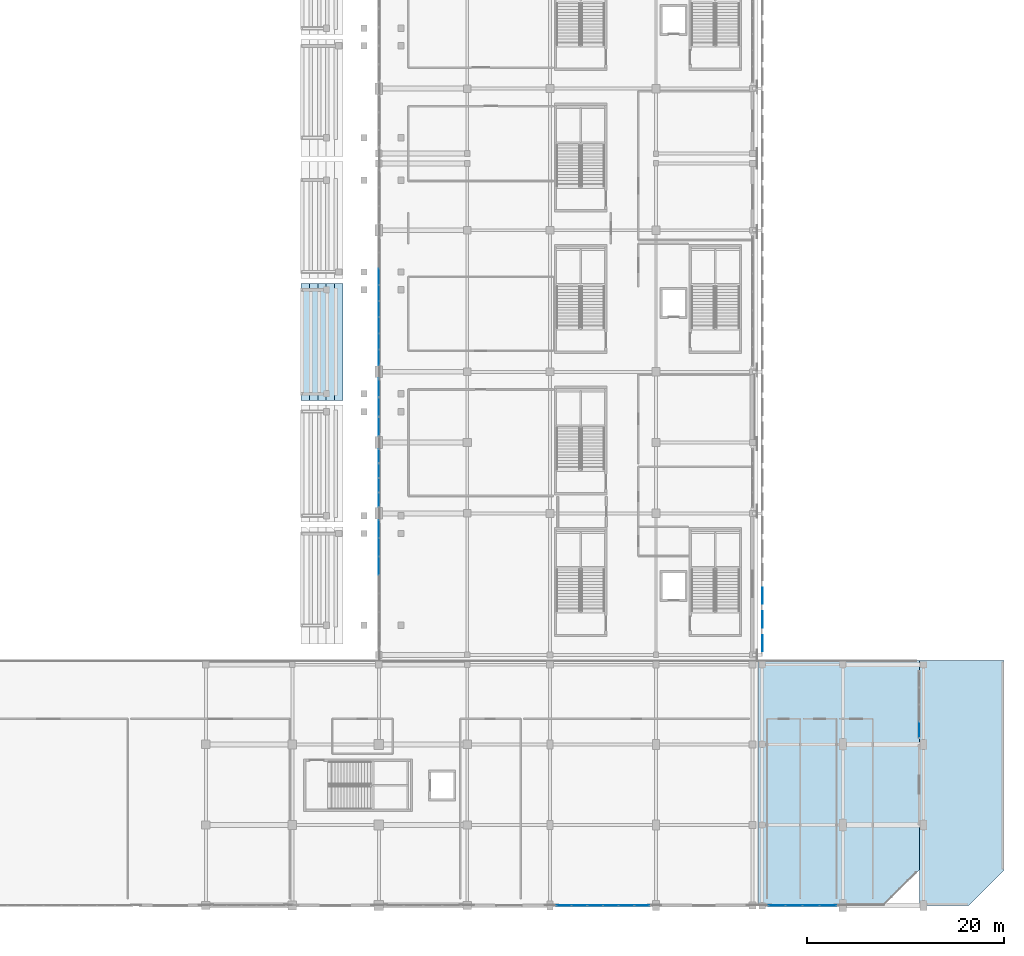
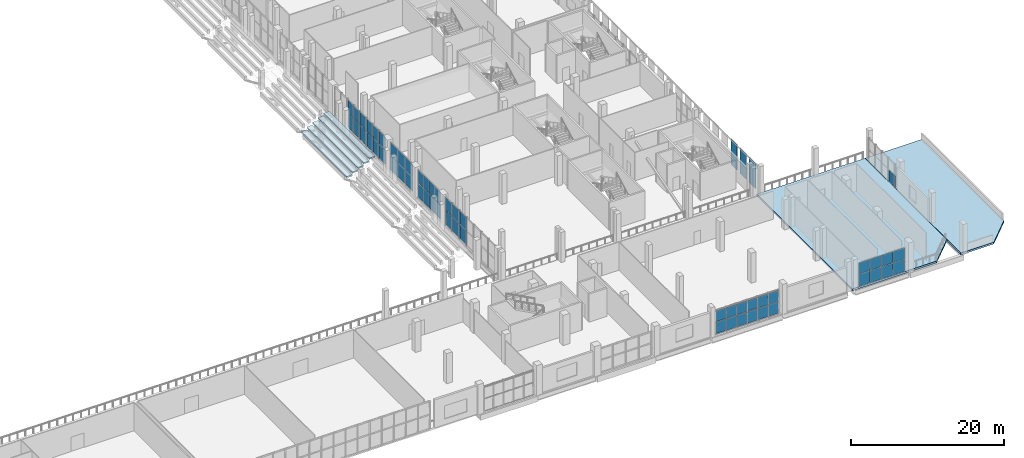
# One storey, part 79 of 142: 56 plates, 7 slabs, 7 elements without a shape of their own.
"""IFC4 building model written with IfcOpenShell, lengths in metres."""

from ifc_helpers import new_model, si_unit, direction, frame, origin, origin_2d, place, context, subcontext, project, spatial, polyline, rectangle, outline, extrude, material, layer, layer_set, type_object, element, aggregate, save


model = new_model("IFC4")

# Units and contexts
model_context = context("Model", 3, precision=1e-05, world=origin(), true_north=direction((0.0, 1.0)))
body_context = subcontext(model_context, "Body", "Model", "MODEL_VIEW")
ifc_project = project(units=[si_unit("LENGTHUNIT", "METRE"), si_unit("AREAUNIT", "SQUARE_METRE"), si_unit("VOLUMEUNIT", "CUBIC_METRE"), si_unit("PLANEANGLEUNIT", "RADIAN"), si_unit("MASSUNIT", "GRAM", prefix="KILO")], contexts=[model_context])

# Site, building, storey
site_placement = place(None, origin())
site = spatial("IfcSite", under=ifc_project, at=site_placement, CompositionType="ELEMENT")
building_placement = place(site_placement, origin())
building = spatial("IfcBuilding", under=site, at=building_placement, Name="Koshinbarg Plaza Stadium", CompositionType="ELEMENT")
storey_placement = place(building_placement, frame((0.0, 0.0, 10.199951171875)))
storey = spatial("IfcBuildingStorey", under=building, at=storey_placement, Name="L02", CompositionType="ELEMENT", Elevation=10.199951171875)

# Curtain wall, plate
ifc_material_1 = material(Name="Thermally broken anodised aluminium and low-E double glazing", Category="aluminium")
curtain_wall_type_1 = type_object("IfcCurtainWallType", Name="CW-SYS-13", PredefinedType="NOTDEFINED", material=ifc_material_1)
curtain_wall_1_placement = place(storey_placement, origin())
curtain_wall_1 = element("IfcCurtainWall", 1, at=curtain_wall_1_placement, inside=storey, type_object=curtain_wall_type_1, Name="L02 unitised curtain wall CW-L02-060", PredefinedType="NOTDEFINED")
ifc_material_2 = material(Name="Solar-control low-E double glazing unit", Category="glass")
ifc_layer_1 = layer(ifc_material_2, 0.028076171875)
ifc_layer_set_1 = layer_set([ifc_layer_1], Name="Solar-control low-E double glazing unit")
plate_type_1 = type_object("IfcPlateType", Name="CW-PNL-28", PredefinedType="CURTAIN_PANEL", material=ifc_layer_set_1)
plate_1_placement = place(storey_placement, frame((235.3798828125, 17.892578125, 0.06005859375), z_axis=(0.0, 0.0, 1.0), x_axis=(0.0, -1.0, 0.0)))
plate_1 = element("IfcPlate", 2, at=plate_1_placement, type_object=plate_type_1, Name="CW13 panel 4.1", PredefinedType="CURTAIN_PANEL", context=body_context, shape_type="SweptSolid", body=[
    extrude(rectangle(XDim=1.625, YDim=0.028076171875, at=origin_2d()), origin(), (0.0, 0.0, 1.0), 1.87548828125),
])
aggregate(curtain_wall_1, [plate_1])

# Curtain wall, plates
curtain_wall_type_2 = type_object("IfcCurtainWallType", Name="CW-SYS-15", PredefinedType="NOTDEFINED", material=ifc_material_1)
curtain_wall_2_placement = place(storey_placement, origin())
curtain_wall_2 = element("IfcCurtainWall", 3, at=curtain_wall_2_placement, inside=storey, type_object=curtain_wall_type_2, Name="L02 unitised curtain wall CW-L02-062", PredefinedType="NOTDEFINED")
plate_2_placement = place(storey_placement, frame((207.168212890625, 0.0, 0.06005859375), z_axis=(0.0, 0.0, 1.0), x_axis=(-1.0, 0.0, 0.0)))
plate_2 = element("IfcPlate", 4, at=plate_2_placement, type_object=plate_type_1, Name="CW15 panel 1.1", PredefinedType="CURTAIN_PANEL", context=body_context, shape_type="SweptSolid", body=[
    extrude(rectangle(XDim=1.50341796875, YDim=0.028076171875, at=origin_2d()), origin(), (0.0, 0.0, 1.0), 1.865234375),
])
plate_3_placement = place(storey_placement, frame((207.168212890625, 0.0, 1.985107421875), z_axis=(0.0, 0.0, 1.0), x_axis=(-1.0, 0.0, 0.0)))
plate_3 = element("IfcPlate", 5, at=plate_3_placement, type_object=plate_type_1, Name="CW15 panel 1.2", PredefinedType="CURTAIN_PANEL", context=body_context, shape_type="SweptSolid", body=[
    extrude(rectangle(XDim=1.50341796875, YDim=0.028076171875, at=origin_2d()), origin(), (0.0, 0.0, 1.0), 1.71484375),
])
plate_4_placement = place(storey_placement, frame((205.590087890625, 0.0, 0.06005859375), z_axis=(0.0, 0.0, 1.0), x_axis=(-1.0, 0.0, 0.0)))
plate_4 = element("IfcPlate", 6, at=plate_4_placement, type_object=plate_type_1, Name="CW15 panel 2.1", PredefinedType="CURTAIN_PANEL", context=body_context, shape_type="SweptSolid", body=[
    extrude(rectangle(XDim=1.533447265625, YDim=0.028076171875, at=origin_2d()), origin(), (0.0, 0.0, 1.0), 1.865234375),
])
plate_5_placement = place(storey_placement, frame((205.590087890625, 0.0, 1.985107421875), z_axis=(0.0, 0.0, 1.0), x_axis=(-1.0, 0.0, 0.0)))
plate_5 = element("IfcPlate", 7, at=plate_5_placement, type_object=plate_type_1, Name="CW15 panel 2.2", PredefinedType="CURTAIN_PANEL", context=body_context, shape_type="SweptSolid", body=[
    extrude(rectangle(XDim=1.533447265625, YDim=0.028076171875, at=origin_2d()), origin(), (0.0, 0.0, 1.0), 1.71484375),
])
plate_6_placement = place(storey_placement, frame((203.99658203125, 0.0, 0.06005859375), z_axis=(0.0, 0.0, 1.0), x_axis=(-1.0, 0.0, 0.0)))
plate_6 = element("IfcPlate", 8, at=plate_6_placement, type_object=plate_type_1, Name="CW15 panel 3.1", PredefinedType="CURTAIN_PANEL", context=body_context, shape_type="SweptSolid", body=[
    extrude(rectangle(XDim=1.533447265625, YDim=0.028076171875, at=origin_2d()), origin(), (0.0, 0.0, 1.0), 1.865234375),
])
plate_7_placement = place(storey_placement, frame((203.99658203125, 0.0, 1.985107421875), z_axis=(0.0, 0.0, 1.0), x_axis=(-1.0, 0.0, 0.0)))
plate_7 = element("IfcPlate", 9, at=plate_7_placement, type_object=plate_type_1, Name="CW15 panel 3.2", PredefinedType="CURTAIN_PANEL", context=body_context, shape_type="SweptSolid", body=[
    extrude(rectangle(XDim=1.533447265625, YDim=0.028076171875, at=origin_2d()), origin(), (0.0, 0.0, 1.0), 1.71484375),
])
plate_8_placement = place(storey_placement, frame((202.4033203125, 0.0, 0.06005859375), z_axis=(0.0, 0.0, 1.0), x_axis=(-1.0, 0.0, 0.0)))
plate_8 = element("IfcPlate", 10, at=plate_8_placement, type_object=plate_type_1, Name="CW15 panel 4.1", PredefinedType="CURTAIN_PANEL", context=body_context, shape_type="SweptSolid", body=[
    extrude(rectangle(XDim=1.533447265625, YDim=0.028076171875, at=origin_2d()), origin(), (0.0, 0.0, 1.0), 1.865234375),
])
plate_9_placement = place(storey_placement, frame((202.4033203125, 0.0, 1.985107421875), z_axis=(0.0, 0.0, 1.0), x_axis=(-1.0, 0.0, 0.0)))
plate_9 = element("IfcPlate", 11, at=plate_9_placement, type_object=plate_type_1, Name="CW15 panel 4.2", PredefinedType="CURTAIN_PANEL", context=body_context, shape_type="SweptSolid", body=[
    extrude(rectangle(XDim=1.533447265625, YDim=0.028076171875, at=origin_2d()), origin(), (0.0, 0.0, 1.0), 1.71484375),
])
plate_10_placement = place(storey_placement, frame((200.81005859375, 0.0, 0.06005859375), z_axis=(0.0, 0.0, 1.0), x_axis=(-1.0, 0.0, 0.0)))
plate_10 = element("IfcPlate", 12, at=plate_10_placement, type_object=plate_type_1, Name="CW15 panel 5.1", PredefinedType="CURTAIN_PANEL", context=body_context, shape_type="SweptSolid", body=[
    extrude(rectangle(XDim=1.533447265625, YDim=0.028076171875, at=origin_2d()), origin(), (0.0, 0.0, 1.0), 1.865234375),
])
plate_11_placement = place(storey_placement, frame((200.81005859375, 0.0, 1.985107421875), z_axis=(0.0, 0.0, 1.0), x_axis=(-1.0, 0.0, 0.0)))
plate_11 = element("IfcPlate", 13, at=plate_11_placement, type_object=plate_type_1, Name="CW15 panel 5.2", PredefinedType="CURTAIN_PANEL", context=body_context, shape_type="SweptSolid", body=[
    extrude(rectangle(XDim=1.533447265625, YDim=0.028076171875, at=origin_2d()), origin(), (0.0, 0.0, 1.0), 1.71484375),
])
plate_12_placement = place(storey_placement, frame((199.231689453125, 0.0, 0.06005859375), z_axis=(0.0, 0.0, 1.0), x_axis=(-1.0, 0.0, 0.0)))
plate_12 = element("IfcPlate", 14, at=plate_12_placement, type_object=plate_type_1, Name="CW15 panel 6.1", PredefinedType="CURTAIN_PANEL", context=body_context, shape_type="SweptSolid", body=[
    extrude(rectangle(XDim=1.50341796875, YDim=0.028076171875, at=origin_2d()), origin(), (0.0, 0.0, 1.0), 1.865234375),
])
plate_13_placement = place(storey_placement, frame((199.231689453125, 0.0, 1.985107421875), z_axis=(0.0, 0.0, 1.0), x_axis=(-1.0, 0.0, 0.0)))
plate_13 = element("IfcPlate", 15, at=plate_13_placement, type_object=plate_type_1, Name="CW15 panel 6.2", PredefinedType="CURTAIN_PANEL", context=body_context, shape_type="SweptSolid", body=[
    extrude(rectangle(XDim=1.50341796875, YDim=0.028076171875, at=origin_2d()), origin(), (0.0, 0.0, 1.0), 1.71484375),
])
aggregate(curtain_wall_2, [plate_2, plate_3, plate_4, plate_5, plate_6, plate_7, plate_8, plate_9, plate_10, plate_11, plate_12, plate_13])

curtain_wall_type_3 = type_object("IfcCurtainWallType", Name="CW-SYS-03", PredefinedType="NOTDEFINED", material=ifc_material_1)
curtain_wall_3_placement = place(storey_placement, origin())
curtain_wall_3 = element("IfcCurtainWall", 16, at=curtain_wall_3_placement, inside=storey, type_object=curtain_wall_type_3, Name="L02 unitised curtain wall CW-L02-082", PredefinedType="NOTDEFINED")
plate_14_placement = place(storey_placement, frame((180.39990234375, 41.280029296875, 0.06005859375), z_axis=(0.0, 0.0, 1.0), x_axis=(0.0, 1.0, 0.0)))
plate_14 = element("IfcPlate", 17, at=plate_14_placement, type_object=plate_type_1, Name="CW03 panel 1.1", PredefinedType="CURTAIN_PANEL", context=body_context, shape_type="SweptSolid", body=[
    extrude(rectangle(XDim=1.39990234375, YDim=0.028076171875, at=origin_2d()), origin(), (0.0, 0.0, 1.0), 2.239501953125),
])
plate_15_placement = place(storey_placement, frame((180.39990234375, 41.280029296875, 2.35986328125), z_axis=(0.0, 0.0, 1.0), x_axis=(0.0, 1.0, 0.0)))
plate_15 = element("IfcPlate", 18, at=plate_15_placement, type_object=plate_type_1, Name="CW03 panel 1.2", PredefinedType="CURTAIN_PANEL", context=body_context, shape_type="SweptSolid", body=[
    extrude(rectangle(XDim=1.39990234375, YDim=0.028076171875, at=origin_2d()), origin(), (0.0, 0.0, 1.0), 2.060302734375),
])
plate_16_placement = place(storey_placement, frame((180.39990234375, 42.7548828125, 0.06005859375), z_axis=(0.0, 0.0, 1.0), x_axis=(0.0, 1.0, 0.0)))
plate_16 = element("IfcPlate", 19, at=plate_16_placement, type_object=plate_type_1, Name="CW03 panel 2.1", PredefinedType="CURTAIN_PANEL", context=body_context, shape_type="SweptSolid", body=[
    extrude(rectangle(XDim=1.429931640625, YDim=0.028076171875, at=origin_2d()), origin(), (0.0, 0.0, 1.0), 2.239501953125),
])
plate_17_placement = place(storey_placement, frame((180.39990234375, 42.7548828125, 2.35986328125), z_axis=(0.0, 0.0, 1.0), x_axis=(0.0, 1.0, 0.0)))
plate_17 = element("IfcPlate", 20, at=plate_17_placement, type_object=plate_type_1, Name="CW03 panel 2.2", PredefinedType="CURTAIN_PANEL", context=body_context, shape_type="SweptSolid", body=[
    extrude(rectangle(XDim=1.429931640625, YDim=0.028076171875, at=origin_2d()), origin(), (0.0, 0.0, 1.0), 2.060302734375),
])
plate_18_placement = place(storey_placement, frame((180.39990234375, 44.2451171875, 0.06005859375), z_axis=(0.0, 0.0, 1.0), x_axis=(0.0, 1.0, 0.0)))
plate_18 = element("IfcPlate", 21, at=plate_18_placement, type_object=plate_type_1, Name="CW03 panel 3.1", PredefinedType="CURTAIN_PANEL", context=body_context, shape_type="SweptSolid", body=[
    extrude(rectangle(XDim=1.429931640625, YDim=0.028076171875, at=origin_2d()), origin(), (0.0, 0.0, 1.0), 2.239501953125),
])
plate_19_placement = place(storey_placement, frame((180.39990234375, 44.2451171875, 2.35986328125), z_axis=(0.0, 0.0, 1.0), x_axis=(0.0, 1.0, 0.0)))
plate_19 = element("IfcPlate", 22, at=plate_19_placement, type_object=plate_type_1, Name="CW03 panel 3.2", PredefinedType="CURTAIN_PANEL", context=body_context, shape_type="SweptSolid", body=[
    extrude(rectangle(XDim=1.429931640625, YDim=0.028076171875, at=origin_2d()), origin(), (0.0, 0.0, 1.0), 2.060302734375),
])
plate_20_placement = place(storey_placement, frame((180.39990234375, 45.719970703125, 0.06005859375), z_axis=(0.0, 0.0, 1.0), x_axis=(0.0, 1.0, 0.0)))
plate_20 = element("IfcPlate", 23, at=plate_20_placement, type_object=plate_type_1, Name="CW03 panel 4.1", PredefinedType="CURTAIN_PANEL", context=body_context, shape_type="SweptSolid", body=[
    extrude(rectangle(XDim=1.39990234375, YDim=0.028076171875, at=origin_2d()), origin(), (0.0, 0.0, 1.0), 2.239501953125),
])
plate_21_placement = place(storey_placement, frame((180.39990234375, 45.719970703125, 2.35986328125), z_axis=(0.0, 0.0, 1.0), x_axis=(0.0, 1.0, 0.0)))
plate_21 = element("IfcPlate", 24, at=plate_21_placement, type_object=plate_type_1, Name="CW03 panel 4.2", PredefinedType="CURTAIN_PANEL", context=body_context, shape_type="SweptSolid", body=[
    extrude(rectangle(XDim=1.39990234375, YDim=0.028076171875, at=origin_2d()), origin(), (0.0, 0.0, 1.0), 2.060302734375),
])
aggregate(curtain_wall_3, [plate_14, plate_15, plate_16, plate_17, plate_18, plate_19, plate_20, plate_21])

curtain_wall_type_4 = type_object("IfcCurtainWallType", Name="CW-SYS-05", PredefinedType="NOTDEFINED", material=ifc_material_1)
curtain_wall_4_placement = place(storey_placement, origin())
curtain_wall_4 = element("IfcCurtainWall", 25, at=curtain_wall_4_placement, inside=storey, type_object=curtain_wall_type_4, Name="L02 unitised curtain wall CW-L02-084", PredefinedType="NOTDEFINED")
plate_22_placement = place(storey_placement, frame((180.39990234375, 55.757568359375, 0.06005859375), z_axis=(0.0, 0.0, 1.0), x_axis=(0.0, 1.0, 0.0)))
plate_22 = element("IfcPlate", 26, at=plate_22_placement, type_object=plate_type_1, Name="CW05 panel 1.1", PredefinedType="CURTAIN_PANEL", context=body_context, shape_type="SweptSolid", body=[
    extrude(rectangle(XDim=1.554931640625, YDim=0.028076171875, at=origin_2d()), origin(), (0.0, 0.0, 1.0), 2.239501953125),
])
plate_23_placement = place(storey_placement, frame((180.39990234375, 55.757568359375, 2.35986328125), z_axis=(0.0, 0.0, 1.0), x_axis=(0.0, 1.0, 0.0)))
plate_23 = element("IfcPlate", 27, at=plate_23_placement, type_object=plate_type_1, Name="CW05 panel 1.2", PredefinedType="CURTAIN_PANEL", context=body_context, shape_type="SweptSolid", body=[
    extrude(rectangle(XDim=1.554931640625, YDim=0.028076171875, at=origin_2d()), origin(), (0.0, 0.0, 1.0), 2.060302734375),
])
plate_24_placement = place(storey_placement, frame((180.39990234375, 57.387451171875, 0.06005859375), z_axis=(0.0, 0.0, 1.0), x_axis=(0.0, 1.0, 0.0)))
plate_24 = element("IfcPlate", 28, at=plate_24_placement, type_object=plate_type_1, Name="CW05 panel 2.1", PredefinedType="CURTAIN_PANEL", context=body_context, shape_type="SweptSolid", body=[
    extrude(rectangle(XDim=1.5849609375, YDim=0.028076171875, at=origin_2d()), origin(), (0.0, 0.0, 1.0), 2.239501953125),
])
plate_25_placement = place(storey_placement, frame((180.39990234375, 57.387451171875, 2.35986328125), z_axis=(0.0, 0.0, 1.0), x_axis=(0.0, 1.0, 0.0)))
plate_25 = element("IfcPlate", 29, at=plate_25_placement, type_object=plate_type_1, Name="CW05 panel 2.2", PredefinedType="CURTAIN_PANEL", context=body_context, shape_type="SweptSolid", body=[
    extrude(rectangle(XDim=1.5849609375, YDim=0.028076171875, at=origin_2d()), origin(), (0.0, 0.0, 1.0), 2.060302734375),
])
plate_26_placement = place(storey_placement, frame((180.39990234375, 59.032470703125, 0.06005859375), z_axis=(0.0, 0.0, 1.0), x_axis=(0.0, 1.0, 0.0)))
plate_26 = element("IfcPlate", 30, at=plate_26_placement, type_object=plate_type_1, Name="CW05 panel 3.1", PredefinedType="CURTAIN_PANEL", context=body_context, shape_type="SweptSolid", body=[
    extrude(rectangle(XDim=1.5849609375, YDim=0.028076171875, at=origin_2d()), origin(), (0.0, 0.0, 1.0), 2.239501953125),
])
plate_27_placement = place(storey_placement, frame((180.39990234375, 59.032470703125, 2.35986328125), z_axis=(0.0, 0.0, 1.0), x_axis=(0.0, 1.0, 0.0)))
plate_27 = element("IfcPlate", 31, at=plate_27_placement, type_object=plate_type_1, Name="CW05 panel 3.2", PredefinedType="CURTAIN_PANEL", context=body_context, shape_type="SweptSolid", body=[
    extrude(rectangle(XDim=1.5849609375, YDim=0.028076171875, at=origin_2d()), origin(), (0.0, 0.0, 1.0), 2.060302734375),
])
plate_28_placement = place(storey_placement, frame((180.39990234375, 60.677490234375, 0.06005859375), z_axis=(0.0, 0.0, 1.0), x_axis=(0.0, 1.0, 0.0)))
plate_28 = element("IfcPlate", 32, at=plate_28_placement, type_object=plate_type_1, Name="CW05 panel 4.1", PredefinedType="CURTAIN_PANEL", context=body_context, shape_type="SweptSolid", body=[
    extrude(rectangle(XDim=1.5849609375, YDim=0.028076171875, at=origin_2d()), origin(), (0.0, 0.0, 1.0), 2.239501953125),
])
plate_29_placement = place(storey_placement, frame((180.39990234375, 60.677490234375, 2.35986328125), z_axis=(0.0, 0.0, 1.0), x_axis=(0.0, 1.0, 0.0)))
plate_29 = element("IfcPlate", 33, at=plate_29_placement, type_object=plate_type_1, Name="CW05 panel 4.2", PredefinedType="CURTAIN_PANEL", context=body_context, shape_type="SweptSolid", body=[
    extrude(rectangle(XDim=1.5849609375, YDim=0.028076171875, at=origin_2d()), origin(), (0.0, 0.0, 1.0), 2.060302734375),
])
plate_30_placement = place(storey_placement, frame((180.39990234375, 62.322509765625, 0.06005859375), z_axis=(0.0, 0.0, 1.0), x_axis=(0.0, 1.0, 0.0)))
plate_30 = element("IfcPlate", 34, at=plate_30_placement, type_object=plate_type_1, Name="CW05 panel 5.1", PredefinedType="CURTAIN_PANEL", context=body_context, shape_type="SweptSolid", body=[
    extrude(rectangle(XDim=1.5849609375, YDim=0.028076171875, at=origin_2d()), origin(), (0.0, 0.0, 1.0), 2.239501953125),
])
plate_31_placement = place(storey_placement, frame((180.39990234375, 62.322509765625, 2.35986328125), z_axis=(0.0, 0.0, 1.0), x_axis=(0.0, 1.0, 0.0)))
plate_31 = element("IfcPlate", 35, at=plate_31_placement, type_object=plate_type_1, Name="CW05 panel 5.2", PredefinedType="CURTAIN_PANEL", context=body_context, shape_type="SweptSolid", body=[
    extrude(rectangle(XDim=1.5849609375, YDim=0.028076171875, at=origin_2d()), origin(), (0.0, 0.0, 1.0), 2.060302734375),
])
plate_32_placement = place(storey_placement, frame((180.39990234375, 63.967529296875, 0.06005859375), z_axis=(0.0, 0.0, 1.0), x_axis=(0.0, 1.0, 0.0)))
plate_32 = element("IfcPlate", 36, at=plate_32_placement, type_object=plate_type_1, Name="CW05 panel 6.1", PredefinedType="CURTAIN_PANEL", context=body_context, shape_type="SweptSolid", body=[
    extrude(rectangle(XDim=1.5849609375, YDim=0.028076171875, at=origin_2d()), origin(), (0.0, 0.0, 1.0), 2.239501953125),
])
plate_33_placement = place(storey_placement, frame((180.39990234375, 63.967529296875, 2.35986328125), z_axis=(0.0, 0.0, 1.0), x_axis=(0.0, 1.0, 0.0)))
plate_33 = element("IfcPlate", 37, at=plate_33_placement, type_object=plate_type_1, Name="CW05 panel 6.2", PredefinedType="CURTAIN_PANEL", context=body_context, shape_type="SweptSolid", body=[
    extrude(rectangle(XDim=1.5849609375, YDim=0.028076171875, at=origin_2d()), origin(), (0.0, 0.0, 1.0), 2.060302734375),
])
aggregate(curtain_wall_4, [plate_22, plate_23, plate_24, plate_25, plate_26, plate_27, plate_28, plate_29, plate_30, plate_31, plate_32, plate_33])

curtain_wall_type_5 = type_object("IfcCurtainWallType", Name="CW-SYS-14", PredefinedType="NOTDEFINED", material=ifc_material_1)
curtain_wall_5_placement = place(storey_placement, origin())
curtain_wall_5 = element("IfcCurtainWall", 38, at=curtain_wall_5_placement, inside=storey, type_object=curtain_wall_type_5, Name="L02 unitised curtain wall CW-L02-061", PredefinedType="NOTDEFINED")
ifc_material_3 = material(Name="Acoustic solar-control double glazing unit", Category="glass")
ifc_layer_2 = layer(ifc_material_3, 0.031982421875)
ifc_layer_set_2 = layer_set([ifc_layer_2], Name="Acoustic solar-control double glazing unit")
plate_type_2 = type_object("IfcPlateType", Name="CW-PNL-32", PredefinedType="CURTAIN_PANEL", material=ifc_layer_set_2)
plate_34_placement = place(storey_placement, frame((226.094970703125, 0.0, 0.06005859375), z_axis=(0.0, 0.0, 1.0), x_axis=(-1.0, 0.0, 0.0)))
plate_34 = element("IfcPlate", 39, at=plate_34_placement, type_object=plate_type_2, Name="CW14 panel 1.1", PredefinedType="CURTAIN_PANEL", context=body_context, shape_type="SweptSolid", body=[
    extrude(rectangle(XDim=1.64990234375, YDim=0.031982421875, at=origin_2d()), origin(), (0.0, 0.0, 1.0), 1.917236328125),
])
plate_35_placement = place(storey_placement, frame((226.094970703125, 0.0, 2.037353515625), z_axis=(0.0, 0.0, 1.0), x_axis=(-1.0, 0.0, 0.0)))
plate_35 = element("IfcPlate", 40, at=plate_35_placement, type_object=plate_type_2, Name="CW14 panel 1.2", PredefinedType="CURTAIN_PANEL", context=body_context, shape_type="SweptSolid", body=[
    extrude(rectangle(XDim=1.64990234375, YDim=0.031982421875, at=origin_2d()), origin(), (0.0, 0.0, 1.0), 1.7626953125),
])
plate_36_placement = place(storey_placement, frame((224.3701171875, 0.0, 0.06005859375), z_axis=(0.0, 0.0, 1.0), x_axis=(-1.0, 0.0, 0.0)))
plate_36 = element("IfcPlate", 41, at=plate_36_placement, type_object=plate_type_2, Name="CW14 panel 2.1", PredefinedType="CURTAIN_PANEL", context=body_context, shape_type="SweptSolid", body=[
    extrude(rectangle(XDim=1.679931640625, YDim=0.031982421875, at=origin_2d()), origin(), (0.0, 0.0, 1.0), 1.917236328125),
])
plate_37_placement = place(storey_placement, frame((224.3701171875, 0.0, 2.037353515625), z_axis=(0.0, 0.0, 1.0), x_axis=(-1.0, 0.0, 0.0)))
plate_37 = element("IfcPlate", 42, at=plate_37_placement, type_object=plate_type_2, Name="CW14 panel 2.2", PredefinedType="CURTAIN_PANEL", context=body_context, shape_type="SweptSolid", body=[
    extrude(rectangle(XDim=1.679931640625, YDim=0.031982421875, at=origin_2d()), origin(), (0.0, 0.0, 1.0), 1.7626953125),
])
plate_38_placement = place(storey_placement, frame((222.6298828125, 0.0, 0.06005859375), z_axis=(0.0, 0.0, 1.0), x_axis=(-1.0, 0.0, 0.0)))
plate_38 = element("IfcPlate", 43, at=plate_38_placement, type_object=plate_type_2, Name="CW14 panel 3.1", PredefinedType="CURTAIN_PANEL", context=body_context, shape_type="SweptSolid", body=[
    extrude(rectangle(XDim=1.679931640625, YDim=0.031982421875, at=origin_2d()), origin(), (0.0, 0.0, 1.0), 1.917236328125),
])
plate_39_placement = place(storey_placement, frame((222.6298828125, 0.0, 2.037353515625), z_axis=(0.0, 0.0, 1.0), x_axis=(-1.0, 0.0, 0.0)))
plate_39 = element("IfcPlate", 44, at=plate_39_placement, type_object=plate_type_2, Name="CW14 panel 3.2", PredefinedType="CURTAIN_PANEL", context=body_context, shape_type="SweptSolid", body=[
    extrude(rectangle(XDim=1.679931640625, YDim=0.031982421875, at=origin_2d()), origin(), (0.0, 0.0, 1.0), 1.7626953125),
])
plate_40_placement = place(storey_placement, frame((220.905029296875, 0.0, 0.06005859375), z_axis=(0.0, 0.0, 1.0), x_axis=(-1.0, 0.0, 0.0)))
plate_40 = element("IfcPlate", 45, at=plate_40_placement, type_object=plate_type_2, Name="CW14 panel 4.1", PredefinedType="CURTAIN_PANEL", context=body_context, shape_type="SweptSolid", body=[
    extrude(rectangle(XDim=1.64990234375, YDim=0.031982421875, at=origin_2d()), origin(), (0.0, 0.0, 1.0), 1.917236328125),
])
plate_41_placement = place(storey_placement, frame((220.905029296875, 0.0, 2.037353515625), z_axis=(0.0, 0.0, 1.0), x_axis=(-1.0, 0.0, 0.0)))
plate_41 = element("IfcPlate", 46, at=plate_41_placement, type_object=plate_type_2, Name="CW14 panel 4.2", PredefinedType="CURTAIN_PANEL", context=body_context, shape_type="SweptSolid", body=[
    extrude(rectangle(XDim=1.64990234375, YDim=0.031982421875, at=origin_2d()), origin(), (0.0, 0.0, 1.0), 1.7626953125),
])
aggregate(curtain_wall_5, [plate_34, plate_35, plate_36, plate_37, plate_38, plate_39, plate_40, plate_41])

curtain_wall_type_6 = type_object("IfcCurtainWallType", Name="CW-SYS-02", PredefinedType="NOTDEFINED", material=ifc_material_1)
curtain_wall_6_placement = place(storey_placement, origin())
curtain_wall_6 = element("IfcCurtainWall", 47, at=curtain_wall_6_placement, inside=storey, type_object=curtain_wall_type_6, Name="L02 unitised curtain wall CW-L02-081", PredefinedType="NOTDEFINED")
plate_42_placement = place(storey_placement, frame((180.39990234375, 34.580078125, 0.06005859375), z_axis=(0.0, 0.0, 1.0), x_axis=(0.0, 1.0, 0.0)))
plate_42 = element("IfcPlate", 48, at=plate_42_placement, type_object=plate_type_2, Name="CW02 panel 5.1", PredefinedType="CURTAIN_PANEL", context=body_context, shape_type="SweptSolid", body=[
    extrude(rectangle(XDim=1.820068359375, YDim=0.031982421875, at=origin_2d()), origin(), (0.0, 0.0, 1.0), 2.239501953125),
])
plate_43_placement = place(storey_placement, frame((180.39990234375, 34.580078125, 2.35986328125), z_axis=(0.0, 0.0, 1.0), x_axis=(0.0, 1.0, 0.0)))
plate_43 = element("IfcPlate", 49, at=plate_43_placement, type_object=plate_type_2, Name="CW02 panel 5.2", PredefinedType="CURTAIN_PANEL", context=body_context, shape_type="SweptSolid", body=[
    extrude(rectangle(XDim=1.820068359375, YDim=0.031982421875, at=origin_2d()), origin(), (0.0, 0.0, 1.0), 2.060302734375),
])
plate_44_placement = place(storey_placement, frame((180.39990234375, 36.4599609375, 0.06005859375), z_axis=(0.0, 0.0, 1.0), x_axis=(0.0, 1.0, 0.0)))
plate_44 = element("IfcPlate", 50, at=plate_44_placement, type_object=plate_type_2, Name="CW02 panel 6.1", PredefinedType="CURTAIN_PANEL", context=body_context, shape_type="SweptSolid", body=[
    extrude(rectangle(XDim=1.820068359375, YDim=0.031982421875, at=origin_2d()), origin(), (0.0, 0.0, 1.0), 2.239501953125),
])
plate_45_placement = place(storey_placement, frame((180.39990234375, 36.4599609375, 2.35986328125), z_axis=(0.0, 0.0, 1.0), x_axis=(0.0, 1.0, 0.0)))
plate_45 = element("IfcPlate", 51, at=plate_45_placement, type_object=plate_type_2, Name="CW02 panel 6.2", PredefinedType="CURTAIN_PANEL", context=body_context, shape_type="SweptSolid", body=[
    extrude(rectangle(XDim=1.820068359375, YDim=0.031982421875, at=origin_2d()), origin(), (0.0, 0.0, 1.0), 2.060302734375),
])
plate_46_placement = place(storey_placement, frame((180.39990234375, 38.324951171875, 0.06005859375), z_axis=(0.0, 0.0, 1.0), x_axis=(0.0, 1.0, 0.0)))
plate_46 = element("IfcPlate", 52, at=plate_46_placement, type_object=plate_type_2, Name="CW02 panel 7.1", PredefinedType="CURTAIN_PANEL", context=body_context, shape_type="SweptSolid", body=[
    extrude(rectangle(XDim=1.7900390625, YDim=0.031982421875, at=origin_2d()), origin(), (0.0, 0.0, 1.0), 2.239501953125),
])
plate_47_placement = place(storey_placement, frame((180.39990234375, 38.324951171875, 2.35986328125), z_axis=(0.0, 0.0, 1.0), x_axis=(0.0, 1.0, 0.0)))
plate_47 = element("IfcPlate", 53, at=plate_47_placement, type_object=plate_type_2, Name="CW02 panel 7.2", PredefinedType="CURTAIN_PANEL", context=body_context, shape_type="SweptSolid", body=[
    extrude(rectangle(XDim=1.7900390625, YDim=0.031982421875, at=origin_2d()), origin(), (0.0, 0.0, 1.0), 2.060302734375),
])
aggregate(curtain_wall_6, [plate_42, plate_43, plate_44, plate_45, plate_46, plate_47])

curtain_wall_type_7 = type_object("IfcCurtainWallType", Name="CW-SYS-04", PredefinedType="NOTDEFINED", material=ifc_material_1)
curtain_wall_7_placement = place(storey_placement, origin())
curtain_wall_7 = element("IfcCurtainWall", 54, at=curtain_wall_7_placement, inside=storey, type_object=curtain_wall_type_7, Name="L02 unitised curtain wall CW-L02-083", PredefinedType="NOTDEFINED")
plate_48_placement = place(storey_placement, frame((180.39990234375, 48.728271484375, 0.06005859375), z_axis=(0.0, 0.0, 1.0), x_axis=(0.0, 1.0, 0.0)))
plate_48 = element("IfcPlate", 55, at=plate_48_placement, type_object=plate_type_2, Name="CW04 panel 1.1", PredefinedType="CURTAIN_PANEL", context=body_context, shape_type="SweptSolid", body=[
    extrude(rectangle(XDim=1.896728515625, YDim=0.031982421875, at=origin_2d()), origin(), (0.0, 0.0, 1.0), 2.239501953125),
])
plate_49_placement = place(storey_placement, frame((180.39990234375, 48.728271484375, 2.35986328125), z_axis=(0.0, 0.0, 1.0), x_axis=(0.0, 1.0, 0.0)))
plate_49 = element("IfcPlate", 56, at=plate_49_placement, type_object=plate_type_2, Name="CW04 panel 1.2", PredefinedType="CURTAIN_PANEL", context=body_context, shape_type="SweptSolid", body=[
    extrude(rectangle(XDim=1.896728515625, YDim=0.031982421875, at=origin_2d()), origin(), (0.0, 0.0, 1.0), 2.060302734375),
])
plate_50_placement = place(storey_placement, frame((180.39990234375, 50.699951171875, 0.06005859375), z_axis=(0.0, 0.0, 1.0), x_axis=(0.0, 1.0, 0.0)))
plate_50 = element("IfcPlate", 57, at=plate_50_placement, type_object=plate_type_2, Name="CW04 panel 2.1", PredefinedType="CURTAIN_PANEL", context=body_context, shape_type="SweptSolid", body=[
    extrude(rectangle(XDim=1.9267578125, YDim=0.031982421875, at=origin_2d()), origin(), (0.0, 0.0, 1.0), 2.239501953125),
])
plate_51_placement = place(storey_placement, frame((180.39990234375, 50.699951171875, 2.35986328125), z_axis=(0.0, 0.0, 1.0), x_axis=(0.0, 1.0, 0.0)))
plate_51 = element("IfcPlate", 58, at=plate_51_placement, type_object=plate_type_2, Name="CW04 panel 2.2", PredefinedType="CURTAIN_PANEL", context=body_context, shape_type="SweptSolid", body=[
    extrude(rectangle(XDim=1.9267578125, YDim=0.031982421875, at=origin_2d()), origin(), (0.0, 0.0, 1.0), 2.060302734375),
])
plate_52_placement = place(storey_placement, frame((180.39990234375, 52.671630859375, 0.06005859375), z_axis=(0.0, 0.0, 1.0), x_axis=(0.0, 1.0, 0.0)))
plate_52 = element("IfcPlate", 59, at=plate_52_placement, type_object=plate_type_2, Name="CW04 panel 3.1", PredefinedType="CURTAIN_PANEL", context=body_context, shape_type="SweptSolid", body=[
    extrude(rectangle(XDim=1.896728515625, YDim=0.031982421875, at=origin_2d()), origin(), (0.0, 0.0, 1.0), 2.239501953125),
])
plate_53_placement = place(storey_placement, frame((180.39990234375, 52.671630859375, 2.35986328125), z_axis=(0.0, 0.0, 1.0), x_axis=(0.0, 1.0, 0.0)))
plate_53 = element("IfcPlate", 60, at=plate_53_placement, type_object=plate_type_2, Name="CW04 panel 3.2", PredefinedType="CURTAIN_PANEL", context=body_context, shape_type="SweptSolid", body=[
    extrude(rectangle(XDim=1.896728515625, YDim=0.031982421875, at=origin_2d()), origin(), (0.0, 0.0, 1.0), 2.060302734375),
])
aggregate(curtain_wall_7, [plate_48, plate_49, plate_50, plate_51, plate_52, plate_53])

# Plates
ifc_material_4 = material(Name="Off-white mineral-coated perforated aluminium screen panel", Category="aluminium")
ifc_layer_3 = layer(ifc_material_4, 0.050048828125)
ifc_layer_set_3 = layer_set([ifc_layer_3], Name="Off-white mineral-coated perforated aluminium screen panel")
plate_type_3 = type_object("IfcPlateType", Name="PLT-SCR-50", PredefinedType="USERDEFINED", material=ifc_layer_set_3)
plate_54_placement = place(storey_placement, frame((219.419921875, 29.10009765625, 0.2001953125), z_axis=(0.0, 0.0, 1.0), x_axis=(1.0, 0.0, 0.0)))
element("IfcPlate", 61, at=plate_54_placement, inside=storey, type_object=plate_type_3, Name="L02 off-white leaf-pierced outer screen panel 128", ObjectType="SCREEN PANEL", PredefinedType="USERDEFINED", context=body_context, shape_type="SweptSolid", body=[
    extrude(rectangle(XDim=0.050048828125, YDim=1.632080078125, at=origin_2d()), origin(), (0.0, 0.0, 1.0), 4.030029296875),
])
ifc_material_5 = material(Name="Off-white mineral-coated leaf-aperture GRC screen panel")
ifc_layer_4 = layer(ifc_material_5, 0.06005859375)
ifc_layer_set_4 = layer_set([ifc_layer_4], Name="Off-white mineral-coated leaf-aperture GRC screen panel")
plate_type_4 = type_object("IfcPlateType", Name="PLT-SCR-60", PredefinedType="USERDEFINED", material=ifc_layer_set_4)
for number, where, z_axis, x_axis, name in (
    (62, (219.425048828125, 26.699951171875, 0.2001953125), (0.0, 0.0, 1.0), (1.0, 0.0, 0.0), "L02 off-white leaf-pierced outer screen panel 127"),
    (63, (219.425048828125, 31.5, 0.2001953125), (0.0, 0.0, 1.0), (1.0, 0.0, 0.0), "L02 off-white leaf-pierced outer screen panel 129"),
):
    element("IfcPlate", number, at=place(storey_placement, frame(where, z_axis=z_axis, x_axis=x_axis)), inside=storey, type_object=plate_type_4, Name=name, ObjectType="SCREEN PANEL", PredefinedType="USERDEFINED", context=body_context, shape_type="SweptSolid", body=[
        extrude(rectangle(XDim=0.06005859375, YDim=1.632080078125, at=origin_2d()), origin(), (0.0, 0.0, 1.0), 4.030029296875),
    ])

# Slabs
ifc_material_6 = material(Name="Concrete C35/45", Category="concrete")
ifc_layer_5 = layer(ifc_material_6, 0.300048828125)
ifc_layer_set_5 = layer_set([ifc_layer_5], Name="Concrete C35/45")
slab_type_1 = type_object("IfcSlabType", Name="SL-FLATROOF-260", PredefinedType="ROOF", material=ifc_layer_set_5)
slab_1_placement = place(storey_placement, frame((0.0, 0.0, -0.300048828125)))
element("IfcSlab", 64, at=slab_1_placement, inside=storey, type_object=slab_type_1, Name="L02 pavilion flat roof slab RF-V4-STEP1", PredefinedType="ROOF", context=body_context, shape_type="SweptSolid", body=[
    extrude(outline(polyline([(235.39990234375, 0.0), (240.39990234375, 0.0), (244.0, 3.60009765625), (244.0, 24.955078125), (235.39990234375, 24.955078125), (235.39990234375, 0.0)])), origin(), (0.0, 0.0, 1.0), 0.300048828125),
])
ifc_layer_6 = layer(ifc_material_6, 0.300048828125)
ifc_layer_set_6 = layer_set([ifc_layer_6], Name="Concrete C35/45")
slab_type_2 = type_object("IfcSlabType", Name="SL-FLR-300", PredefinedType="FLOOR", material=ifc_layer_set_6)
slab_2_placement = place(storey_placement, frame((0.0, 0.0, -0.300048828125)))
element("IfcSlab", 65, at=slab_2_placement, inside=storey, type_object=slab_type_2, Name="L02 V4 structural slab 18", PredefinedType="FLOOR", context=body_context, shape_type="SweptSolid", body=[
    extrude(outline(polyline([(219.044921875, 0.0), (231.780029296875, 0.0), (235.3798828125, 3.60009765625), (235.3798828125, 24.955078125), (219.044921875, 24.955078125), (219.044921875, 0.0)])), origin(), (0.0, 0.0, 1.0), 0.300048828125),
])
ifc_material_7 = material(Name="Precast concrete C40/50", Category="concrete")
ifc_layer_7 = layer(ifc_material_7, 0.199951171875)
ifc_layer_set_7 = layer_set([ifc_layer_7], Name="Precast concrete C40/50")
slab_type_3 = type_object("IfcSlabType", Name="SL-TIER-UT", PredefinedType="USERDEFINED", material=ifc_layer_set_7)
slab_3_placement = place(storey_placement, frame((0.0, 0.0, 2.820068359375)))
element("IfcSlab", 66, at=slab_3_placement, inside=storey, type_object=slab_type_3, Name="Stand upper seating tier UT-E03 row 1", ObjectType="SEATING TIER", PredefinedType="USERDEFINED", context=body_context, shape_type="SweptSolid", body=[
    extrude(outline(polyline([(172.5, 51.39990234375), (173.35009765625, 51.39990234375), (173.35009765625, 63.300048828125), (172.5, 63.300048828125), (172.5, 51.39990234375)])), origin(), (0.0, 0.0, 1.0), 0.199951171875),
])
slab_4_placement = place(storey_placement, frame((0.0, 0.0, 3.260009765625)))
element("IfcSlab", 67, at=slab_4_placement, inside=storey, type_object=slab_type_3, Name="Stand upper seating tier UT-E03 row 2", ObjectType="SEATING TIER", PredefinedType="USERDEFINED", context=body_context, shape_type="SweptSolid", body=[
    extrude(outline(polyline([(173.35009765625, 51.39990234375), (174.199951171875, 51.39990234375), (174.199951171875, 63.300048828125), (173.35009765625, 63.300048828125), (173.35009765625, 51.39990234375)])), origin(), (0.0, 0.0, 1.0), 0.199951171875),
])
slab_5_placement = place(storey_placement, frame((0.0, 0.0, 3.699951171875)))
element("IfcSlab", 68, at=slab_5_placement, inside=storey, type_object=slab_type_3, Name="Stand upper seating tier UT-E03 row 3", ObjectType="SEATING TIER", PredefinedType="USERDEFINED", context=body_context, shape_type="SweptSolid", body=[
    extrude(outline(polyline([(174.199951171875, 51.39990234375), (175.050048828125, 51.39990234375), (175.050048828125, 63.300048828125), (174.199951171875, 63.300048828125), (174.199951171875, 51.39990234375)])), origin(), (0.0, 0.0, 1.0), 0.2001953125),
])
slab_6_placement = place(storey_placement, frame((0.0, 0.0, 4.14013671875)))
element("IfcSlab", 69, at=slab_6_placement, inside=storey, type_object=slab_type_3, Name="Stand upper seating tier UT-E03 row 4", ObjectType="SEATING TIER", PredefinedType="USERDEFINED", context=body_context, shape_type="SweptSolid", body=[
    extrude(outline(polyline([(175.050048828125, 51.39990234375), (175.89990234375, 51.39990234375), (175.89990234375, 63.300048828125), (175.050048828125, 63.300048828125), (175.050048828125, 51.39990234375)])), origin(), (0.0, 0.0, 1.0), 0.199951171875),
])
slab_7_placement = place(storey_placement, frame((0.0, 0.0, 4.580078125)))
element("IfcSlab", 70, at=slab_7_placement, inside=storey, type_object=slab_type_3, Name="Stand upper seating tier UT-E03 row 5", ObjectType="SEATING TIER", PredefinedType="USERDEFINED", context=body_context, shape_type="SweptSolid", body=[
    extrude(outline(polyline([(175.89990234375, 51.39990234375), (176.75, 51.39990234375), (176.75, 63.300048828125), (175.89990234375, 63.300048828125), (175.89990234375, 51.39990234375)])), origin(), (0.0, 0.0, 1.0), 0.199951171875),
])

save(model, "model.ifc")
